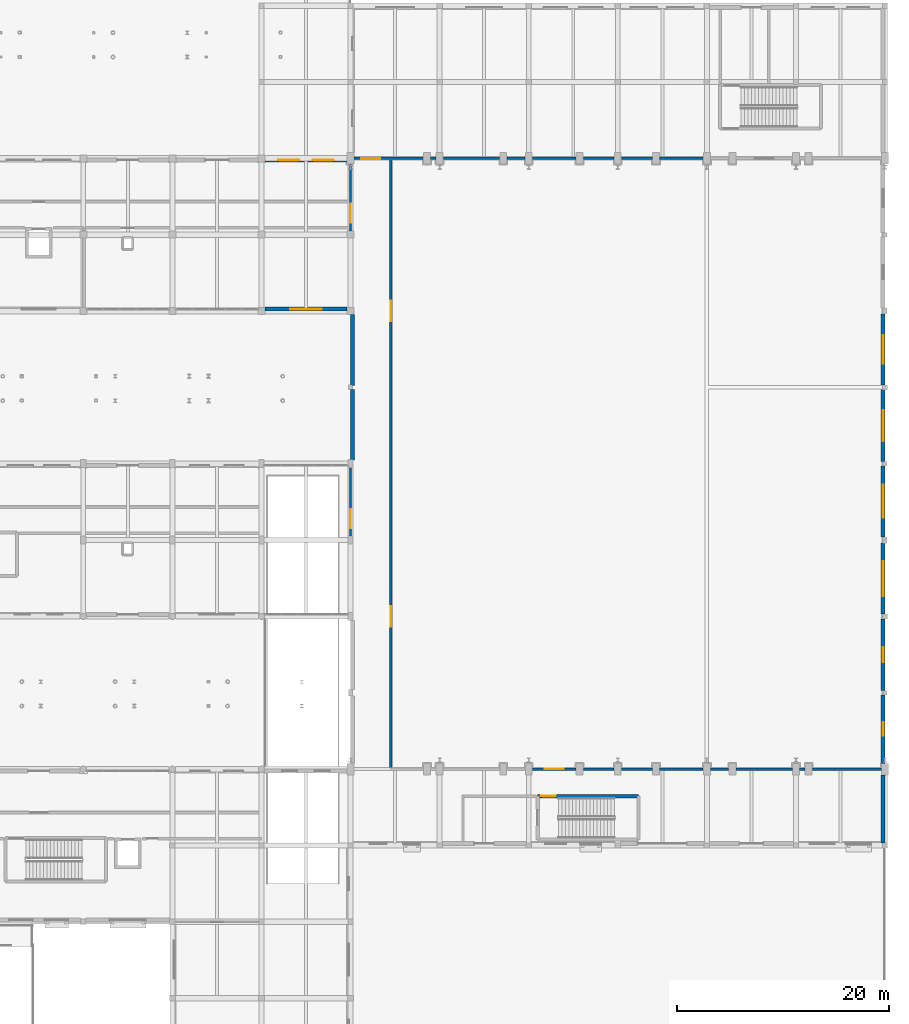
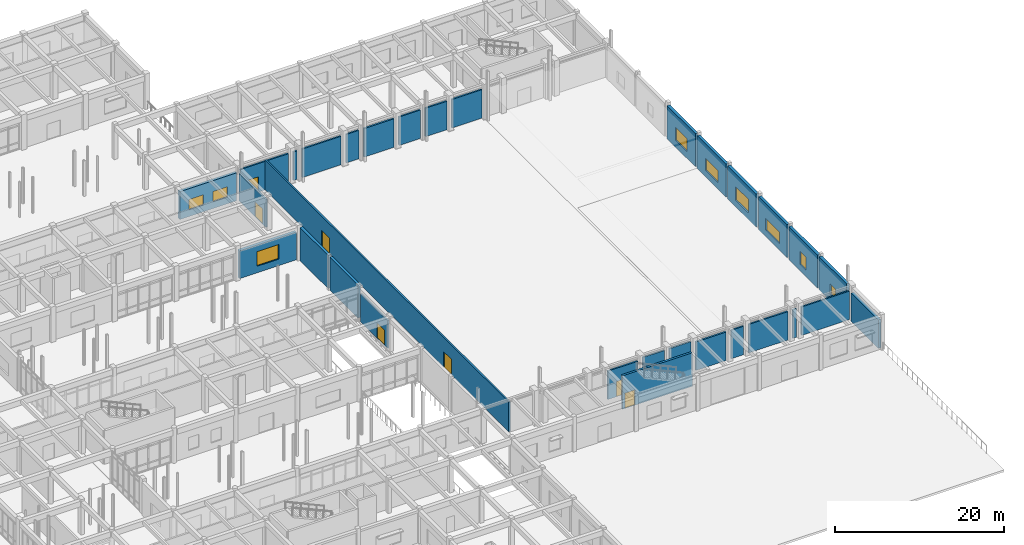
# One storey, part 87 of 121: 31 walls, 9 windows, 7 doors, 16 openings.
"""IFC4 building model written with IfcOpenShell, lengths in metres."""

from ifc_helpers import new_model, si_unit, direction, frame, frame_2d, origin, place, context, subcontext, project, spatial, rectangle, extrude, material, layer, layer_set, type_object, element, fill, save


model = new_model("IFC4")

# Units and contexts
model_context = context("Model", 3, precision=1e-05, world=origin(), true_north=direction((0.0, 1.0)))
body_context = subcontext(model_context, "Body", "Model", "MODEL_VIEW")
ifc_project = project(units=[si_unit("LENGTHUNIT", "METRE"), si_unit("AREAUNIT", "SQUARE_METRE"), si_unit("VOLUMEUNIT", "CUBIC_METRE"), si_unit("PLANEANGLEUNIT", "RADIAN"), si_unit("MASSUNIT", "GRAM", prefix="KILO")], contexts=[model_context])

# Site, building, storey
site_placement = place(None, origin())
site = spatial("IfcSite", under=ifc_project, at=site_placement, CompositionType="ELEMENT")
building_placement = place(site_placement, origin())
building = spatial("IfcBuilding", under=site, at=building_placement, Name="Malvenik Polytechnic", CompositionType="ELEMENT")
storey_placement = place(building_placement, origin())
storey = spatial("IfcBuildingStorey", under=building, at=storey_placement, Name="L00", CompositionType="ELEMENT", Elevation=0.0)

# Wall, opening, door
ifc_material_1 = material(Name="Concrete C35/45", Category="concrete")
ifc_layer_1 = layer(ifc_material_1, 0.300048828125)
ifc_layer_set_1 = layer_set([ifc_layer_1], Name="Concrete C35/45")
wall_type_1 = type_object("IfcWallType", Name="ARC-CW-S300", PredefinedType="SHEAR", material=ifc_layer_set_1)
wall_1_placement = place(storey_placement, frame((152.050048828125, 33.449951171875, 0.0), z_axis=(0.0, 0.0, 1.0), x_axis=(1.0, 0.0, 0.0)))
wall_1 = element("IfcWall", 1, at=wall_1_placement, inside=storey, type_object=wall_type_1, Name="Stair Core Shear Wall ST-13 L00 RGHT", PredefinedType="SHEAR", context=body_context, shape_type="SweptSolid", body=[
    extrude(rectangle(XDim=9.5, YDim=0.300048828125, at=frame_2d((4.75, 0.0))), origin(), (0.0, 0.0, 1.0), 4.820068359375),
])
opening_1_placement = place(wall_1_placement, frame((0.35009765625, 0.0, 0.0)))
opening_1 = element("IfcOpeningElement", 2, at=opening_1_placement, cuts=wall_1, Name="Opening SD-01", PredefinedType="OPENING", context=body_context, shape_type="SweptSolid", body=[
    extrude(rectangle(XDim=1.35009765625, YDim=2.199951171875, at=frame_2d((0.675048828125, 1.10009765625))), frame((0.0, 0.16015625, 0.0), z_axis=(0.0, -1.0, 0.0), x_axis=(1.0, 0.0, 0.0)), (0.0, 0.0, 1.0), 0.320068359375),
])
ifc_material_2 = material(Name="Fire-rated steel stair enclosure door", Category="steel")
door_type_1 = type_object("IfcDoorType", Name="ARC-IDR-SD-01", OperationType="NOTDEFINED", PredefinedType="DOOR", material=ifc_material_2)
door_1_placement = place(opening_1_placement, origin())
door_1 = element("IfcDoor", 3, at=door_1_placement, inside=storey, type_object=door_type_1, Name="Fire Stair Door ST-13 L00", OperationType="SINGLE_SWING_RIGHT", OverallHeight=2.199951171875, OverallWidth=1.35009765625, PredefinedType="DOOR", context=body_context, shape_type="SweptSolid", body=[
    extrude(rectangle(XDim=1.35009765625, YDim=2.199951171875, at=frame_2d((0.675048828125, 1.10009765625))), frame((0.0, 0.02490234375, 0.0), z_axis=(0.0, -1.0, 0.0), x_axis=(1.0, 0.0, 0.0)), (0.0, 0.0, 1.0), 0.050048828125),
])
fill(opening_1, door_1)

# Wall, openings, windows
ifc_material_3 = material(Name="Concrete C30/37", Category="concrete")
ifc_layer_2 = layer(ifc_material_3, 0.3798828125)
ifc_layer_set_2 = layer_set([ifc_layer_2], Name="Concrete C30/37")
wall_type_2 = type_object("IfcWallType", Name="ARC-EW-380", PredefinedType="SOLIDWALL", material=ifc_layer_set_2)
wall_2_placement = place(storey_placement, frame((126.322998046875, 93.429931640625, 0.0), z_axis=(0.0, 0.0, 1.0), x_axis=(1.0, 0.0, 0.0)))
wall_2 = element("IfcWall", 4, at=wall_2_placement, inside=storey, type_object=wall_type_2, Name="External Facade Wall EW-01 L00 #110", PredefinedType="SOLIDWALL", context=body_context, shape_type="SweptSolid", body=[
    extrude(rectangle(XDim=7.75390625, YDim=0.3798828125, at=frame_2d((3.876953125, 0.0))), origin(), (0.0, 0.0, 1.0), 4.010009765625),
])
opening_2_placement = place(wall_2_placement, frame((1.251220703125, 0.0, 0.949951171875)))
opening_2 = element("IfcOpeningElement", 5, at=opening_2_placement, cuts=wall_2, Name="Opening W-13", PredefinedType="OPENING", context=body_context, shape_type="SweptSolid", body=[
    extrude(rectangle(XDim=2.0, YDim=1.5, at=frame_2d((1.0, 0.75))), frame((0.0, 0.199951171875, 0.0), z_axis=(0.0, -1.0, 0.0), x_axis=(1.0, 0.0, 0.0)), (0.0, 0.0, 1.0), 0.39990234375),
])
opening_3_placement = place(wall_2_placement, frame((4.502685546875, 0.0, 0.949951171875)))
opening_3 = element("IfcOpeningElement", 6, at=opening_3_placement, cuts=wall_2, Name="Opening W-13", PredefinedType="OPENING", context=body_context, shape_type="SweptSolid", body=[
    extrude(rectangle(XDim=2.0, YDim=1.5, at=frame_2d((1.0, 0.75))), frame((0.0, 0.199951171875, 0.0), z_axis=(0.0, -1.0, 0.0), x_axis=(1.0, 0.0, 0.0)), (0.0, 0.0, 1.0), 0.39990234375),
])
ifc_material_4 = material(Name="Thermally broken aluminium frame with low-E double glazing", Category="aluminium")
window_type_1 = type_object("IfcWindowType", Name="ARC-WIN-W-13", PartitioningType="SINGLE_PANEL", PredefinedType="WINDOW", material=ifc_material_4)
window_1_placement = place(opening_2_placement, origin())
window_1 = element("IfcWindow", 7, at=window_1_placement, inside=storey, type_object=window_type_1, Name="Punched Window W-13 L00 #71", OverallHeight=1.5, OverallWidth=2.0, PartitioningType="SINGLE_PANEL", PredefinedType="WINDOW", context=body_context, shape_type="SweptSolid", body=[
    extrude(rectangle(XDim=2.0, YDim=1.5, at=frame_2d((1.0, 0.75))), frame((0.0, 0.030029296875, 0.0), z_axis=(0.0, -1.0, 0.0), x_axis=(1.0, 0.0, 0.0)), (0.0, 0.0, 1.0), 0.06005859375),
])
fill(opening_2, window_1)
window_2_placement = place(opening_3_placement, origin())
window_2 = element("IfcWindow", 8, at=window_2_placement, inside=storey, type_object=window_type_1, Name="Punched Window W-13 L00 #72", OverallHeight=1.5, OverallWidth=2.0, PartitioningType="SINGLE_PANEL", PredefinedType="WINDOW", context=body_context, shape_type="SweptSolid", body=[
    extrude(rectangle(XDim=2.0, YDim=1.5, at=frame_2d((1.0, 0.75))), frame((0.0, 0.030029296875, 0.0), z_axis=(0.0, -1.0, 0.0), x_axis=(1.0, 0.0, 0.0)), (0.0, 0.0, 1.0), 0.06005859375),
])
fill(opening_3, window_2)

# Wall, opening, window
wall_3_placement = place(storey_placement, frame((184.6298828125, 78.902099609375, 0.0), z_axis=(0.0, 0.0, 1.0), x_axis=(0.0, -1.0, 0.0)))
wall_3 = element("IfcWall", 9, at=wall_3_placement, inside=storey, type_object=wall_type_2, Name="External Facade Wall EW-01 L00 #123", PredefinedType="SOLIDWALL", context=body_context, shape_type="SweptSolid", body=[
    extrude(rectangle(XDim=6.67919921875, YDim=0.3798828125, at=frame_2d((3.339599609375, 0.0))), origin(), (0.0, 0.0, 1.0), 4.760009765625),
])
opening_4_placement = place(wall_3_placement, frame((1.989501953125, 0.0, 0.949951171875)))
opening_4 = element("IfcOpeningElement", 10, at=opening_4_placement, cuts=wall_3, Name="Opening W-27", PredefinedType="OPENING", context=body_context, shape_type="SweptSolid", body=[
    extrude(rectangle(XDim=2.699951171875, YDim=1.89990234375, at=frame_2d((1.35009765625, 0.949951171875))), frame((0.0, 0.199951171875, 0.0), z_axis=(0.0, -1.0, 0.0), x_axis=(1.0, 0.0, 0.0)), (0.0, 0.0, 1.0), 0.39990234375),
])
window_type_2 = type_object("IfcWindowType", Name="ARC-WIN-W-27", PartitioningType="SINGLE_PANEL", PredefinedType="WINDOW", material=ifc_material_4)
window_3_placement = place(opening_4_placement, origin())
window_3 = element("IfcWindow", 11, at=window_3_placement, inside=storey, type_object=window_type_2, Name="Punched Window W-27 L00 #85", OverallHeight=1.89990234375, OverallWidth=2.699951171875, PartitioningType="SINGLE_PANEL", PredefinedType="WINDOW", context=body_context, shape_type="SweptSolid", body=[
    extrude(rectangle(XDim=2.699951171875, YDim=1.89990234375, at=frame_2d((1.35009765625, 0.949951171875))), frame((0.0, 0.030029296875, 0.0), z_axis=(0.0, -1.0, 0.0), x_axis=(1.0, 0.0, 0.0)), (0.0, 0.0, 1.0), 0.06005859375),
])
fill(opening_4, window_3)

wall_4_placement = place(storey_placement, frame((184.6298828125, 71.777099609375, 0.0), z_axis=(0.0, 0.0, 1.0), x_axis=(0.0, -1.0, 0.0)))
wall_4 = element("IfcWall", 12, at=wall_4_placement, inside=storey, type_object=wall_type_2, Name="External Facade Wall EW-01 L00 #124", PredefinedType="SOLIDWALL", context=body_context, shape_type="SweptSolid", body=[
    extrude(rectangle(XDim=6.779052734375, YDim=0.3798828125, at=frame_2d((3.3896484375, 0.0))), origin(), (0.0, 0.0, 1.0), 4.760009765625),
])
opening_5_placement = place(wall_4_placement, frame((1.939453125, 0.0, 0.949951171875)))
opening_5 = element("IfcOpeningElement", 13, at=opening_5_placement, cuts=wall_4, Name="Opening W-28", PredefinedType="OPENING", context=body_context, shape_type="SweptSolid", body=[
    extrude(rectangle(XDim=2.89990234375, YDim=1.75, at=frame_2d((1.449951171875, 0.875))), frame((0.0, 0.199951171875, 0.0), z_axis=(0.0, -1.0, 0.0), x_axis=(1.0, 0.0, 0.0)), (0.0, 0.0, 1.0), 0.39990234375),
])
window_type_3 = type_object("IfcWindowType", Name="ARC-WIN-W-28", PartitioningType="SINGLE_PANEL", PredefinedType="WINDOW", material=ifc_material_4)
window_4_placement = place(opening_5_placement, origin())
window_4 = element("IfcWindow", 14, at=window_4_placement, inside=storey, type_object=window_type_3, Name="Punched Window W-28 L00 #86", OverallHeight=1.75, OverallWidth=2.89990234375, PartitioningType="SINGLE_PANEL", PredefinedType="WINDOW", context=body_context, shape_type="SweptSolid", body=[
    extrude(rectangle(XDim=2.89990234375, YDim=1.75, at=frame_2d((1.449951171875, 0.875))), frame((0.0, 0.030029296875, 0.0), z_axis=(0.0, -1.0, 0.0), x_axis=(1.0, 0.0, 0.0)), (0.0, 0.0, 1.0), 0.06005859375),
])
fill(opening_5, window_4)

wall_5_placement = place(storey_placement, frame((184.6298828125, 64.60205078125, 0.0), z_axis=(0.0, 0.0, 1.0), x_axis=(0.0, -1.0, 0.0)))
wall_5 = element("IfcWall", 15, at=wall_5_placement, inside=storey, type_object=wall_type_2, Name="External Facade Wall EW-01 L00 #125", PredefinedType="SOLIDWALL", context=body_context, shape_type="SweptSolid", body=[
    extrude(rectangle(XDim=6.7041015625, YDim=0.3798828125, at=frame_2d((3.35205078125, 0.0))), origin(), (0.0, 0.0, 1.0), 4.760009765625),
])
opening_6_placement = place(wall_5_placement, frame((1.802001953125, 0.0, 0.949951171875)))
opening_6 = element("IfcOpeningElement", 16, at=opening_6_placement, cuts=wall_5, Name="Opening W-29", PredefinedType="OPENING", context=body_context, shape_type="SweptSolid", body=[
    extrude(rectangle(XDim=3.10009765625, YDim=1.949951171875, at=frame_2d((1.550048828125, 0.97509765625))), frame((0.0, 0.199951171875, 0.0), z_axis=(0.0, -1.0, 0.0), x_axis=(1.0, 0.0, 0.0)), (0.0, 0.0, 1.0), 0.39990234375),
])
window_type_4 = type_object("IfcWindowType", Name="ARC-WIN-W-29", PartitioningType="SINGLE_PANEL", PredefinedType="WINDOW", material=ifc_material_4)
window_5_placement = place(opening_6_placement, origin())
window_5 = element("IfcWindow", 17, at=window_5_placement, inside=storey, type_object=window_type_4, Name="Punched Window W-29 L00 #87", OverallHeight=1.949951171875, OverallWidth=3.10009765625, PartitioningType="SINGLE_PANEL", PredefinedType="WINDOW", context=body_context, shape_type="SweptSolid", body=[
    extrude(rectangle(XDim=3.10009765625, YDim=1.949951171875, at=frame_2d((1.550048828125, 0.97509765625))), frame((0.0, 0.030029296875, 0.0), z_axis=(0.0, -1.0, 0.0), x_axis=(1.0, 0.0, 0.0)), (0.0, 0.0, 1.0), 0.06005859375),
])
fill(opening_6, window_5)

wall_6_placement = place(storey_placement, frame((184.6298828125, 57.302001953125, 0.0), z_axis=(0.0, 0.0, 1.0), x_axis=(0.0, -1.0, 0.0)))
wall_6 = element("IfcWall", 18, at=wall_6_placement, inside=storey, type_object=wall_type_2, Name="External Facade Wall EW-01 L00 #126", PredefinedType="SOLIDWALL", context=body_context, shape_type="SweptSolid", body=[
    extrude(rectangle(XDim=6.678955078125, YDim=0.3798828125, at=frame_2d((3.33935546875, 0.0))), origin(), (0.0, 0.0, 1.0), 4.760009765625),
])
opening_7_placement = place(wall_6_placement, frame((1.689453125, 0.0, 0.949951171875)))
opening_7 = element("IfcOpeningElement", 19, at=opening_7_placement, cuts=wall_6, Name="Opening W-30", PredefinedType="OPENING", context=body_context, shape_type="SweptSolid", body=[
    extrude(rectangle(XDim=3.300048828125, YDim=1.64990234375, at=frame_2d((1.64990234375, 0.824951171875))), frame((0.0, 0.199951171875, 0.0), z_axis=(0.0, -1.0, 0.0), x_axis=(1.0, 0.0, 0.0)), (0.0, 0.0, 1.0), 0.39990234375),
])
window_type_5 = type_object("IfcWindowType", Name="ARC-WIN-W-30", PartitioningType="SINGLE_PANEL", PredefinedType="WINDOW", material=ifc_material_4)
window_6_placement = place(opening_7_placement, origin())
window_6 = element("IfcWindow", 20, at=window_6_placement, inside=storey, type_object=window_type_5, Name="Punched Window W-30 L00 #88", OverallHeight=1.64990234375, OverallWidth=3.300048828125, PartitioningType="SINGLE_PANEL", PredefinedType="WINDOW", context=body_context, shape_type="SweptSolid", body=[
    extrude(rectangle(XDim=3.300048828125, YDim=1.64990234375, at=frame_2d((1.64990234375, 0.824951171875))), frame((0.0, 0.030029296875, 0.0), z_axis=(0.0, -1.0, 0.0), x_axis=(1.0, 0.0, 0.0)), (0.0, 0.0, 1.0), 0.06005859375),
])
fill(opening_7, window_6)

wall_7_placement = place(storey_placement, frame((184.6298828125, 50.177001953125, 0.0), z_axis=(0.0, 0.0, 1.0), x_axis=(0.0, -1.0, 0.0)))
wall_7 = element("IfcWall", 21, at=wall_7_placement, inside=storey, type_object=wall_type_2, Name="External Facade Wall EW-01 L00 #127", PredefinedType="SOLIDWALL", context=body_context, shape_type="SweptSolid", body=[
    extrude(rectangle(XDim=6.779052734375, YDim=0.3798828125, at=frame_2d((3.3896484375, 0.0))), origin(), (0.0, 0.0, 1.0), 4.760009765625),
])
opening_8_placement = place(wall_7_placement, frame((2.66455078125, 0.0, 0.949951171875)))
opening_8 = element("IfcOpeningElement", 22, at=opening_8_placement, cuts=wall_7, Name="Opening W-31", PredefinedType="OPENING", context=body_context, shape_type="SweptSolid", body=[
    extrude(rectangle(XDim=1.449951171875, YDim=1.85009765625, at=frame_2d((0.72509765625, 0.925048828125))), frame((0.0, 0.199951171875, 0.0), z_axis=(0.0, -1.0, 0.0), x_axis=(1.0, 0.0, 0.0)), (0.0, 0.0, 1.0), 0.39990234375),
])
window_type_6 = type_object("IfcWindowType", Name="ARC-WIN-W-31", PartitioningType="SINGLE_PANEL", PredefinedType="WINDOW", material=ifc_material_4)
window_7_placement = place(opening_8_placement, origin())
window_7 = element("IfcWindow", 23, at=window_7_placement, inside=storey, type_object=window_type_6, Name="Punched Window W-31 L00 #89", OverallHeight=1.85009765625, OverallWidth=1.449951171875, PartitioningType="SINGLE_PANEL", PredefinedType="WINDOW", context=body_context, shape_type="SweptSolid", body=[
    extrude(rectangle(XDim=1.449951171875, YDim=1.85009765625, at=frame_2d((0.72509765625, 0.925048828125))), frame((0.0, 0.030029296875, 0.0), z_axis=(0.0, -1.0, 0.0), x_axis=(1.0, 0.0, 0.0)), (0.0, 0.0, 1.0), 0.06005859375),
])
fill(opening_8, window_7)

wall_8_placement = place(storey_placement, frame((184.6298828125, 43.001953125, 0.0), z_axis=(0.0, 0.0, 1.0), x_axis=(0.0, -1.0, 0.0)))
wall_8 = element("IfcWall", 24, at=wall_8_placement, inside=storey, type_object=wall_type_2, Name="External Facade Wall EW-01 L00 #128", PredefinedType="SOLIDWALL", context=body_context, shape_type="SweptSolid", body=[
    extrude(rectangle(XDim=6.453857421875, YDim=0.3798828125, at=frame_2d((3.22705078125, 0.0))), origin(), (0.0, 0.0, 1.0), 4.760009765625),
])
opening_9_placement = place(wall_8_placement, frame((2.60205078125, 0.0, 0.949951171875)))
opening_9 = element("IfcOpeningElement", 25, at=opening_9_placement, cuts=wall_8, Name="Opening W-32", PredefinedType="OPENING", context=body_context, shape_type="SweptSolid", body=[
    extrude(rectangle(XDim=1.25, YDim=1.5, at=frame_2d((0.625, 0.75))), frame((0.0, 0.199951171875, 0.0), z_axis=(0.0, -1.0, 0.0), x_axis=(1.0, 0.0, 0.0)), (0.0, 0.0, 1.0), 0.39990234375),
])
window_type_7 = type_object("IfcWindowType", Name="ARC-WIN-W-32", PartitioningType="SINGLE_PANEL", PredefinedType="WINDOW", material=ifc_material_4)
window_8_placement = place(opening_9_placement, origin())
window_8 = element("IfcWindow", 26, at=window_8_placement, inside=storey, type_object=window_type_7, Name="Punched Window W-32 L00 #90", OverallHeight=1.5, OverallWidth=1.25, PartitioningType="SINGLE_PANEL", PredefinedType="WINDOW", context=body_context, shape_type="SweptSolid", body=[
    extrude(rectangle(XDim=1.25, YDim=1.5, at=frame_2d((0.625, 0.75))), frame((0.0, 0.030029296875, 0.0), z_axis=(0.0, -1.0, 0.0), x_axis=(1.0, 0.0, 0.0)), (0.0, 0.0, 1.0), 0.06005859375),
])
fill(opening_9, window_8)

# Walls
wall_9_placement = place(storey_placement, frame((184.6298828125, 35.451904296875, 0.0), z_axis=(0.0, 0.0, 1.0), x_axis=(0.0, -1.0, 0.0)))
element("IfcWall", 27, at=wall_9_placement, inside=storey, type_object=wall_type_2, Name="External Facade Wall EW-01 L00 #129", PredefinedType="SOLIDWALL", context=body_context, shape_type="SweptSolid", body=[
    extrude(rectangle(XDim=6.40380859375, YDim=0.3798828125, at=frame_2d((3.201904296875, 0.0))), origin(), (0.0, 0.0, 1.0), 4.110107421875),
])
wall_10_placement = place(storey_placement, frame((134.570068359375, 65.173095703125, 0.0), z_axis=(0.0, 0.0, 1.0), x_axis=(0.0, 1.0, 0.0)))
element("IfcWall", 28, at=wall_10_placement, inside=storey, type_object=wall_type_2, Name="External Facade Wall EW-01 L00 #167", PredefinedType="SOLIDWALL", context=body_context, shape_type="SweptSolid", body=[
    extrude(rectangle(XDim=6.62890625, YDim=0.3798828125, at=frame_2d((3.314453125, 0.0))), origin(), (0.0, 0.0, 1.0), 4.760009765625),
])
wall_11_placement = place(storey_placement, frame((134.570068359375, 72.197998046875, 0.0), z_axis=(0.0, 0.0, 1.0), x_axis=(0.0, 1.0, 0.0)))
element("IfcWall", 29, at=wall_11_placement, inside=storey, type_object=wall_type_2, Name="External Facade Wall EW-01 L00 #168", PredefinedType="SOLIDWALL", context=body_context, shape_type="SweptSolid", body=[
    extrude(rectangle(XDim=6.678955078125, YDim=0.3798828125, at=frame_2d((3.33935546875, 0.0))), origin(), (0.0, 0.0, 1.0), 4.760009765625),
])

# Wall, opening, window
wall_12_placement = place(storey_placement, frame((134.076904296875, 79.3701171875, 0.0), z_axis=(0.0, 0.0, 1.0), x_axis=(-1.0, 0.0, 0.0)))
wall_12 = element("IfcWall", 30, at=wall_12_placement, inside=storey, type_object=wall_type_2, Name="External Facade Wall EW-01 L00 #169", PredefinedType="SOLIDWALL", context=body_context, shape_type="SweptSolid", body=[
    extrude(rectangle(XDim=7.75390625, YDim=0.3798828125, at=frame_2d((3.876953125, 0.0))), origin(), (0.0, 0.0, 1.0), 4.010009765625),
])
opening_10_placement = place(wall_12_placement, frame((2.376953125, 0.0, 0.949951171875)))
opening_10 = element("IfcOpeningElement", 31, at=opening_10_placement, cuts=wall_12, Name="Opening W-08", PredefinedType="OPENING", context=body_context, shape_type="SweptSolid", body=[
    extrude(rectangle(XDim=3.0, YDim=2.10009765625, at=frame_2d((1.5, 1.050048828125))), frame((0.0, 0.199951171875, 0.0), z_axis=(0.0, -1.0, 0.0), x_axis=(1.0, 0.0, 0.0)), (0.0, 0.0, 1.0), 0.39990234375),
])
window_type_8 = type_object("IfcWindowType", Name="ARC-WIN-W-08", PartitioningType="SINGLE_PANEL", PredefinedType="WINDOW", material=ifc_material_4)
window_9_placement = place(opening_10_placement, origin())
window_9 = element("IfcWindow", 32, at=window_9_placement, inside=storey, type_object=window_type_8, Name="Punched Window W-08 L00 #130", OverallHeight=2.10009765625, OverallWidth=3.0, PartitioningType="SINGLE_PANEL", PredefinedType="WINDOW", context=body_context, shape_type="SweptSolid", body=[
    extrude(rectangle(XDim=3.0, YDim=2.10009765625, at=frame_2d((1.5, 1.050048828125))), frame((0.0, 0.030029296875, 0.0), z_axis=(0.0, -1.0, 0.0), x_axis=(1.0, 0.0, 0.0)), (0.0, 0.0, 1.0), 0.06005859375),
])
fill(opening_10, window_9)

# Wall, openings, doors
ifc_material_5 = material(Name="Autoclaved aerated concrete blockwork 220mm", Category="masonry")
ifc_layer_3 = layer(ifc_material_5, 0.219970703125)
ifc_layer_set_3 = layer_set([ifc_layer_3], Name="Autoclaved aerated concrete blockwork 220mm")
wall_type_3 = type_object("IfcWallType", Name="ARC-FW-220", PredefinedType="SOLIDWALL", material=ifc_layer_set_3)
wall_13_placement = place(storey_placement, frame((138.199951171875, 36.0, 0.0), z_axis=(0.0, 0.0, 1.0), x_axis=(0.0, 1.0, 0.0)))
wall_13 = element("IfcWall", 33, at=wall_13_placement, inside=storey, type_object=wall_type_3, Name="Interior Partition FW-01 L00 #120", PredefinedType="SOLIDWALL", context=body_context, shape_type="SweptSolid", body=[
    extrude(rectangle(XDim=57.60009765625, YDim=0.219970703125, at=frame_2d((28.800048828125, 0.0))), origin(), (0.0, 0.0, 1.0), 4.302978515625),
])
opening_11_placement = place(wall_13_placement, frame((13.449951171875, 0.0, 0.0)))
opening_11 = element("IfcOpeningElement", 34, at=opening_11_placement, cuts=wall_13, Name="Opening FD-06", PredefinedType="OPENING", context=body_context, shape_type="SweptSolid", body=[
    extrude(rectangle(XDim=1.89990234375, YDim=2.25, at=frame_2d((0.949951171875, 1.125))), frame((0.0, 0.1201171875, 0.0), z_axis=(0.0, -1.0, 0.0), x_axis=(1.0, 0.0, 0.0)), (0.0, 0.0, 1.0), 0.239990234375),
])
opening_12_placement = place(wall_13_placement, frame((42.25, 0.0, 0.0)))
opening_12 = element("IfcOpeningElement", 35, at=opening_12_placement, cuts=wall_13, Name="Opening FD-06", PredefinedType="OPENING", context=body_context, shape_type="SweptSolid", body=[
    extrude(rectangle(XDim=1.89990234375, YDim=2.25, at=frame_2d((0.949951171875, 1.125))), frame((0.0, 0.1201171875, 0.0), z_axis=(0.0, -1.0, 0.0), x_axis=(1.0, 0.0, 0.0)), (0.0, 0.0, 1.0), 0.239990234375),
])
ifc_material_6 = material(Name="Fire-rated workshop hall double door", Category="steel")
door_type_2 = type_object("IfcDoorType", Name="ARC-IDR-FD-06", OperationType="NOTDEFINED", PredefinedType="DOOR", material=ifc_material_6)
door_2_placement = place(opening_11_placement, origin())
door_2 = element("IfcDoor", 36, at=door_2_placement, inside=storey, type_object=door_type_2, Name="Interior Door FD-06 L00 #57", OperationType="DOUBLE_DOOR_SINGLE_SWING", OverallHeight=2.25, OverallWidth=1.89990234375, PredefinedType="DOOR", context=body_context, shape_type="SweptSolid", body=[
    extrude(rectangle(XDim=1.89990234375, YDim=2.25, at=frame_2d((0.949951171875, 1.125))), frame((0.0, 0.02490234375, 0.0), z_axis=(0.0, -1.0, 0.0), x_axis=(1.0, 0.0, 0.0)), (0.0, 0.0, 1.0), 0.050048828125),
])
fill(opening_11, door_2)
door_3_placement = place(opening_12_placement, origin())
door_3 = element("IfcDoor", 37, at=door_3_placement, inside=storey, type_object=door_type_2, Name="Interior Door FD-06 L00 #58", OperationType="DOUBLE_DOOR_SINGLE_SWING", OverallHeight=2.25, OverallWidth=1.89990234375, PredefinedType="DOOR", context=body_context, shape_type="SweptSolid", body=[
    extrude(rectangle(XDim=1.89990234375, YDim=2.25, at=frame_2d((0.949951171875, 1.125))), frame((0.0, 0.02490234375, 0.0), z_axis=(0.0, -1.0, 0.0), x_axis=(1.0, 0.0, 0.0)), (0.0, 0.0, 1.0), 0.050048828125),
])
fill(opening_12, door_3)

# Wall, opening, door
wall_14_placement = place(storey_placement, frame((134.7451171875, 93.60009765625, 0.0), z_axis=(0.0, 0.0, 1.0), x_axis=(1.0, 0.0, 0.0)))
wall_14 = element("IfcWall", 38, at=wall_14_placement, inside=storey, type_object=wall_type_3, Name="Interior Partition FW-01 L00 #121", PredefinedType="SOLIDWALL", context=body_context, shape_type="SweptSolid", body=[
    extrude(rectangle(XDim=6.509765625, YDim=0.219970703125, at=frame_2d((3.2548828125, 0.0))), origin(), (0.0, 0.0, 1.0), 4.10498046875),
])
opening_13_placement = place(wall_14_placement, frame((0.655029296875, 0.0, 0.0)))
opening_13 = element("IfcOpeningElement", 39, at=opening_13_placement, cuts=wall_14, Name="Opening FD-02", PredefinedType="OPENING", context=body_context, shape_type="SweptSolid", body=[
    extrude(rectangle(XDim=1.800048828125, YDim=2.199951171875, at=frame_2d((0.89990234375, 1.10009765625))), frame((0.0, 0.1201171875, 0.0), z_axis=(0.0, -1.0, 0.0), x_axis=(1.0, 0.0, 0.0)), (0.0, 0.0, 1.0), 0.239990234375),
])
ifc_material_7 = material(Name="Fire-rated double-leaf corridor compartment door", Category="steel")
door_type_3 = type_object("IfcDoorType", Name="ARC-IDR-FD-02", OperationType="NOTDEFINED", PredefinedType="DOOR", material=ifc_material_7)
door_4_placement = place(opening_13_placement, origin())
door_4 = element("IfcDoor", 40, at=door_4_placement, inside=storey, type_object=door_type_3, Name="Interior Door FD-02 L00 #59", OperationType="DOUBLE_DOOR_SINGLE_SWING", OverallHeight=2.199951171875, OverallWidth=1.800048828125, PredefinedType="DOOR", context=body_context, shape_type="SweptSolid", body=[
    extrude(rectangle(XDim=1.800048828125, YDim=2.199951171875, at=frame_2d((0.89990234375, 1.10009765625))), frame((0.0, 0.02490234375, 0.0), z_axis=(0.0, -1.0, 0.0), x_axis=(1.0, 0.0, 0.0)), (0.0, 0.0, 1.0), 0.050048828125),
])
fill(opening_13, door_4)

# Walls
wall_15_placement = place(storey_placement, frame((141.945068359375, 93.60009765625, 0.0), z_axis=(0.0, 0.0, 1.0), x_axis=(1.0, 0.0, 0.0)))
element("IfcWall", 41, at=wall_15_placement, inside=storey, type_object=wall_type_3, Name="Interior Partition FW-01 L00 #122", PredefinedType="SOLIDWALL", context=body_context, shape_type="SweptSolid", body=[
    extrude(rectangle(XDim=0.510009765625, YDim=0.219970703125, at=frame_2d((0.2548828125, 0.0))), origin(), (0.0, 0.0, 1.0), 4.10498046875),
])
wall_16_placement = place(storey_placement, frame((143.14501953125, 93.60009765625, 0.0), z_axis=(0.0, 0.0, 1.0), x_axis=(1.0, 0.0, 0.0)))
element("IfcWall", 42, at=wall_16_placement, inside=storey, type_object=wall_type_3, Name="Interior Partition FW-01 L00 #123", PredefinedType="SOLIDWALL", context=body_context, shape_type="SweptSolid", body=[
    extrude(rectangle(XDim=5.31005859375, YDim=0.219970703125, at=frame_2d((2.655029296875, 0.0))), origin(), (0.0, 0.0, 1.0), 4.10498046875),
])
wall_17_placement = place(storey_placement, frame((149.14501953125, 93.60009765625, 0.0), z_axis=(0.0, 0.0, 1.0), x_axis=(1.0, 0.0, 0.0)))
element("IfcWall", 43, at=wall_17_placement, inside=storey, type_object=wall_type_3, Name="Interior Partition FW-01 L00 #124", PredefinedType="SOLIDWALL", context=body_context, shape_type="SweptSolid", body=[
    extrude(rectangle(XDim=1.7099609375, YDim=0.219970703125, at=frame_2d((0.85498046875, 0.0))), origin(), (0.0, 0.0, 1.0), 4.10498046875),
])
wall_18_placement = place(storey_placement, frame((151.544921875, 93.60009765625, 0.0), z_axis=(0.0, 0.0, 1.0), x_axis=(1.0, 0.0, 0.0)))
element("IfcWall", 44, at=wall_18_placement, inside=storey, type_object=wall_type_3, Name="Interior Partition FW-01 L00 #125", PredefinedType="SOLIDWALL", context=body_context, shape_type="SweptSolid", body=[
    extrude(rectangle(XDim=4.110107421875, YDim=0.219970703125, at=frame_2d((2.05517578125, 0.0))), origin(), (0.0, 0.0, 1.0), 4.10498046875),
])
for number, where, z_axis, x_axis, name in (
    (45, (156.344970703125, 93.60009765625, 0.0), (0.0, 0.0, 1.0), (1.0, 0.0, 0.0), "Interior Partition FW-01 L00 #126"),
    (46, (159.945068359375, 93.60009765625, 0.0), (0.0, 0.0, 1.0), (1.0, 0.0, 0.0), "Interior Partition FW-01 L00 #127"),
):
    element("IfcWall", number, at=place(storey_placement, frame(where, z_axis=z_axis, x_axis=x_axis)), inside=storey, type_object=wall_type_3, Name=name, PredefinedType="SOLIDWALL", context=body_context, shape_type="SweptSolid", body=[
        extrude(rectangle(XDim=2.909912109375, YDim=0.219970703125, at=frame_2d((1.455078125, 0.0))), origin(), (0.0, 0.0, 1.0), 4.10498046875),
    ])
wall_19_placement = place(storey_placement, frame((163.544921875, 93.60009765625, 0.0), z_axis=(0.0, 0.0, 1.0), x_axis=(1.0, 0.0, 0.0)))
element("IfcWall", 47, at=wall_19_placement, inside=storey, type_object=wall_type_3, Name="Interior Partition FW-01 L00 #128", PredefinedType="SOLIDWALL", context=body_context, shape_type="SweptSolid", body=[
    extrude(rectangle(XDim=4.110107421875, YDim=0.219970703125, at=frame_2d((2.05517578125, 0.0))), origin(), (0.0, 0.0, 1.0), 4.10498046875),
])

# Wall, opening, door
wall_20_placement = place(storey_placement, frame((151.544921875, 36.0, 0.0), z_axis=(0.0, 0.0, 1.0), x_axis=(1.0, 0.0, 0.0)))
wall_20 = element("IfcWall", 48, at=wall_20_placement, inside=storey, type_object=wall_type_3, Name="Interior Partition FW-01 L00 #137", PredefinedType="SOLIDWALL", context=body_context, shape_type="SweptSolid", body=[
    extrude(rectangle(XDim=4.110107421875, YDim=0.219970703125, at=frame_2d((2.05517578125, 0.0))), origin(), (0.0, 0.0, 1.0), 4.10498046875),
])
opening_14_placement = place(wall_20_placement, frame((1.155029296875, 0.0, 0.0)))
opening_14 = element("IfcOpeningElement", 49, at=opening_14_placement, cuts=wall_20, Name="Opening FD-02", PredefinedType="OPENING", context=body_context, shape_type="SweptSolid", body=[
    extrude(rectangle(XDim=1.800048828125, YDim=2.199951171875, at=frame_2d((0.89990234375, 1.10009765625))), frame((0.0, 0.1201171875, 0.0), z_axis=(0.0, -1.0, 0.0), x_axis=(1.0, 0.0, 0.0)), (0.0, 0.0, 1.0), 0.239990234375),
])
door_5_placement = place(opening_14_placement, origin())
door_5 = element("IfcDoor", 50, at=door_5_placement, inside=storey, type_object=door_type_3, Name="Interior Door FD-02 L00 #61", OperationType="DOUBLE_DOOR_SINGLE_SWING", OverallHeight=2.199951171875, OverallWidth=1.800048828125, PredefinedType="DOOR", context=body_context, shape_type="SweptSolid", body=[
    extrude(rectangle(XDim=1.800048828125, YDim=2.199951171875, at=frame_2d((0.89990234375, 1.10009765625))), frame((0.0, 0.02490234375, 0.0), z_axis=(0.0, -1.0, 0.0), x_axis=(1.0, 0.0, 0.0)), (0.0, 0.0, 1.0), 0.050048828125),
])
fill(opening_14, door_5)

# Walls
for number, where, z_axis, x_axis, name in (
    (51, (156.344970703125, 36.0, 0.0), (0.0, 0.0, 1.0), (1.0, 0.0, 0.0), "Interior Partition FW-01 L00 #138"),
    (52, (159.945068359375, 36.0, 0.0), (0.0, 0.0, 1.0), (1.0, 0.0, 0.0), "Interior Partition FW-01 L00 #139"),
):
    element("IfcWall", number, at=place(storey_placement, frame(where, z_axis=z_axis, x_axis=x_axis)), inside=storey, type_object=wall_type_3, Name=name, PredefinedType="SOLIDWALL", context=body_context, shape_type="SweptSolid", body=[
        extrude(rectangle(XDim=2.909912109375, YDim=0.219970703125, at=frame_2d((1.455078125, 0.0))), origin(), (0.0, 0.0, 1.0), 4.403076171875),
    ])
wall_21_placement = place(storey_placement, frame((163.544921875, 36.0, 0.0), z_axis=(0.0, 0.0, 1.0), x_axis=(1.0, 0.0, 0.0)))
element("IfcWall", 53, at=wall_21_placement, inside=storey, type_object=wall_type_3, Name="Interior Partition FW-01 L00 #140", PredefinedType="SOLIDWALL", context=body_context, shape_type="SweptSolid", body=[
    extrude(rectangle(XDim=4.110107421875, YDim=0.219970703125, at=frame_2d((2.05517578125, 0.0))), origin(), (0.0, 0.0, 1.0), 4.10498046875),
])
wall_22_placement = place(storey_placement, frame((168.344970703125, 36.0, 0.0), z_axis=(0.0, 0.0, 1.0), x_axis=(1.0, 0.0, 0.0)))
element("IfcWall", 54, at=wall_22_placement, inside=storey, type_object=wall_type_3, Name="Interior Partition FW-01 L00 #141", PredefinedType="SOLIDWALL", context=body_context, shape_type="SweptSolid", body=[
    extrude(rectangle(XDim=1.7099609375, YDim=0.219970703125, at=frame_2d((0.85498046875, 0.0))), origin(), (0.0, 0.0, 1.0), 4.10498046875),
])
wall_23_placement = place(storey_placement, frame((170.7451171875, 36.0, 0.0), z_axis=(0.0, 0.0, 1.0), x_axis=(1.0, 0.0, 0.0)))
element("IfcWall", 55, at=wall_23_placement, inside=storey, type_object=wall_type_3, Name="Interior Partition FW-01 L00 #142", PredefinedType="SOLIDWALL", context=body_context, shape_type="SweptSolid", body=[
    extrude(rectangle(XDim=5.309814453125, YDim=0.219970703125, at=frame_2d((2.65478515625, 0.0))), origin(), (0.0, 0.0, 1.0), 4.10498046875),
])
wall_24_placement = place(storey_placement, frame((176.7451171875, 36.0, 0.0), z_axis=(0.0, 0.0, 1.0), x_axis=(1.0, 0.0, 0.0)))
element("IfcWall", 56, at=wall_24_placement, inside=storey, type_object=wall_type_3, Name="Interior Partition FW-01 L00 #143", PredefinedType="SOLIDWALL", context=body_context, shape_type="SweptSolid", body=[
    extrude(rectangle(XDim=0.509765625, YDim=0.219970703125, at=frame_2d((0.2548828125, 0.0))), origin(), (0.0, 0.0, 1.0), 4.10498046875),
])
wall_25_placement = place(storey_placement, frame((177.945068359375, 36.0, 0.0), z_axis=(0.0, 0.0, 1.0), x_axis=(1.0, 0.0, 0.0)))
element("IfcWall", 57, at=wall_25_placement, inside=storey, type_object=wall_type_3, Name="Interior Partition FW-01 L00 #144", PredefinedType="SOLIDWALL", context=body_context, shape_type="SweptSolid", body=[
    extrude(rectangle(XDim=6.510009765625, YDim=0.219970703125, at=frame_2d((3.2548828125, 0.0))), origin(), (0.0, 0.0, 1.0), 4.10498046875),
])

# Wall, opening, door
wall_26_placement = place(storey_placement, frame((134.39990234375, 57.9951171875, 0.0), z_axis=(0.0, 0.0, 1.0), x_axis=(0.0, 1.0, 0.0)))
wall_26 = element("IfcWall", 58, at=wall_26_placement, inside=storey, type_object=wall_type_3, Name="Interior Partition FW-01 L00 #145", PredefinedType="SOLIDWALL", context=body_context, shape_type="SweptSolid", body=[
    extrude(rectangle(XDim=6.409912109375, YDim=0.219970703125, at=frame_2d((3.205078125, 0.0))), origin(), (0.0, 0.0, 1.0), 4.0048828125),
])
opening_15_placement = place(wall_26_placement, frame((0.705078125, 0.0, 0.0)))
opening_15 = element("IfcOpeningElement", 59, at=opening_15_placement, cuts=wall_26, Name="Opening FD-02", PredefinedType="OPENING", context=body_context, shape_type="SweptSolid", body=[
    extrude(rectangle(XDim=1.800048828125, YDim=2.199951171875, at=frame_2d((0.89990234375, 1.10009765625))), frame((0.0, 0.1201171875, 0.0), z_axis=(0.0, -1.0, 0.0), x_axis=(1.0, 0.0, 0.0)), (0.0, 0.0, 1.0), 0.239990234375),
])
door_6_placement = place(opening_15_placement, origin())
door_6 = element("IfcDoor", 60, at=door_6_placement, inside=storey, type_object=door_type_3, Name="Interior Door FD-02 L00 #62", OperationType="DOUBLE_DOOR_SINGLE_SWING", OverallHeight=2.199951171875, OverallWidth=1.800048828125, PredefinedType="DOOR", context=body_context, shape_type="SweptSolid", body=[
    extrude(rectangle(XDim=1.800048828125, YDim=2.199951171875, at=frame_2d((0.89990234375, 1.10009765625))), frame((0.0, 0.02490234375, 0.0), z_axis=(0.0, -1.0, 0.0), x_axis=(1.0, 0.0, 0.0)), (0.0, 0.0, 1.0), 0.050048828125),
])
fill(opening_15, door_6)

wall_27_placement = place(storey_placement, frame((134.39990234375, 86.7451171875, 0.0), z_axis=(0.0, 0.0, 1.0), x_axis=(0.0, 1.0, 0.0)))
wall_27 = element("IfcWall", 61, at=wall_27_placement, inside=storey, type_object=wall_type_3, Name="Interior Partition FW-01 L00 #146", PredefinedType="SOLIDWALL", context=body_context, shape_type="SweptSolid", body=[
    extrude(rectangle(XDim=6.284912109375, YDim=0.219970703125, at=frame_2d((3.142578125, 0.0))), origin(), (0.0, 0.0, 1.0), 4.0048828125),
])
opening_16_placement = place(wall_27_placement, frame((0.7548828125, 0.0, 0.0)))
opening_16 = element("IfcOpeningElement", 62, at=opening_16_placement, cuts=wall_27, Name="Opening FD-02", PredefinedType="OPENING", context=body_context, shape_type="SweptSolid", body=[
    extrude(rectangle(XDim=1.800048828125, YDim=2.199951171875, at=frame_2d((0.89990234375, 1.10009765625))), frame((0.0, 0.1201171875, 0.0), z_axis=(0.0, -1.0, 0.0), x_axis=(1.0, 0.0, 0.0)), (0.0, 0.0, 1.0), 0.239990234375),
])
door_7_placement = place(opening_16_placement, origin())
door_7 = element("IfcDoor", 63, at=door_7_placement, inside=storey, type_object=door_type_3, Name="Interior Door FD-02 L00 #63", OperationType="DOUBLE_DOOR_SINGLE_SWING", OverallHeight=2.199951171875, OverallWidth=1.800048828125, PredefinedType="DOOR", context=body_context, shape_type="SweptSolid", body=[
    extrude(rectangle(XDim=1.800048828125, YDim=2.199951171875, at=frame_2d((0.89990234375, 1.10009765625))), frame((0.0, 0.02490234375, 0.0), z_axis=(0.0, -1.0, 0.0), x_axis=(1.0, 0.0, 0.0)), (0.0, 0.0, 1.0), 0.050048828125),
])
fill(opening_16, door_7)

save(model, "model.ifc")
